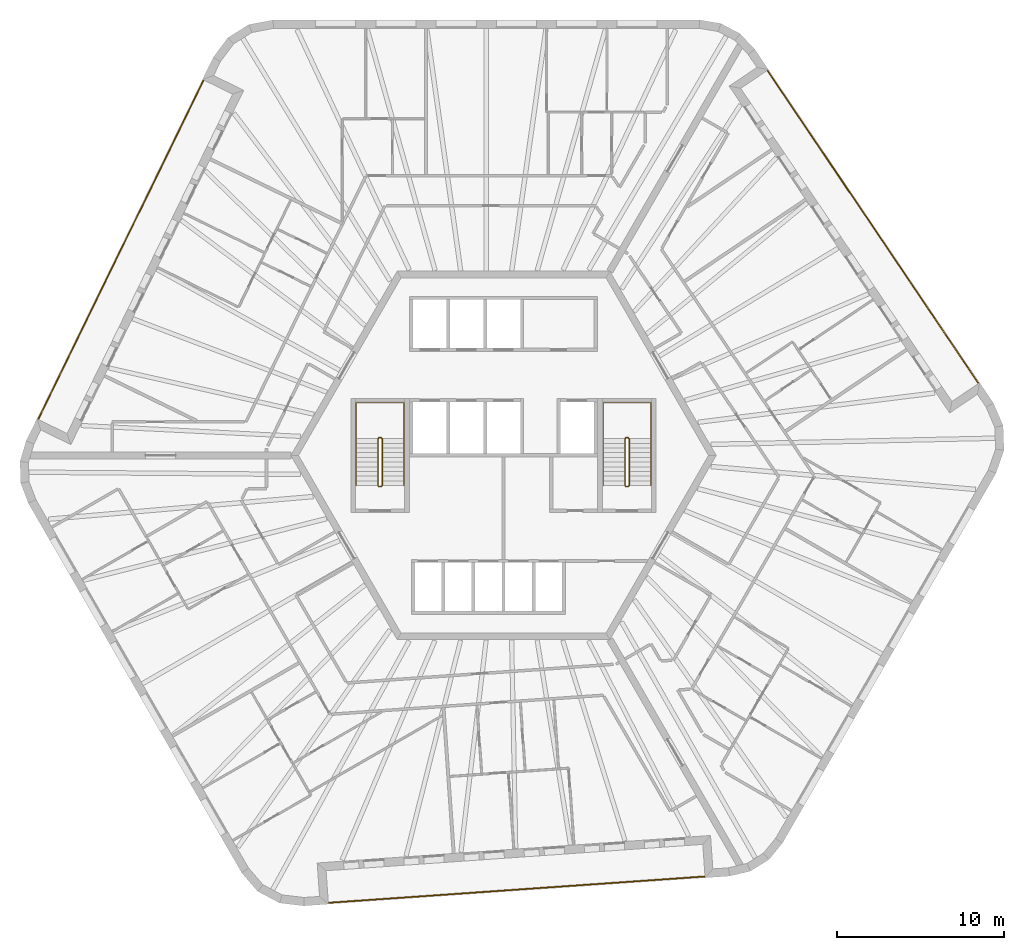
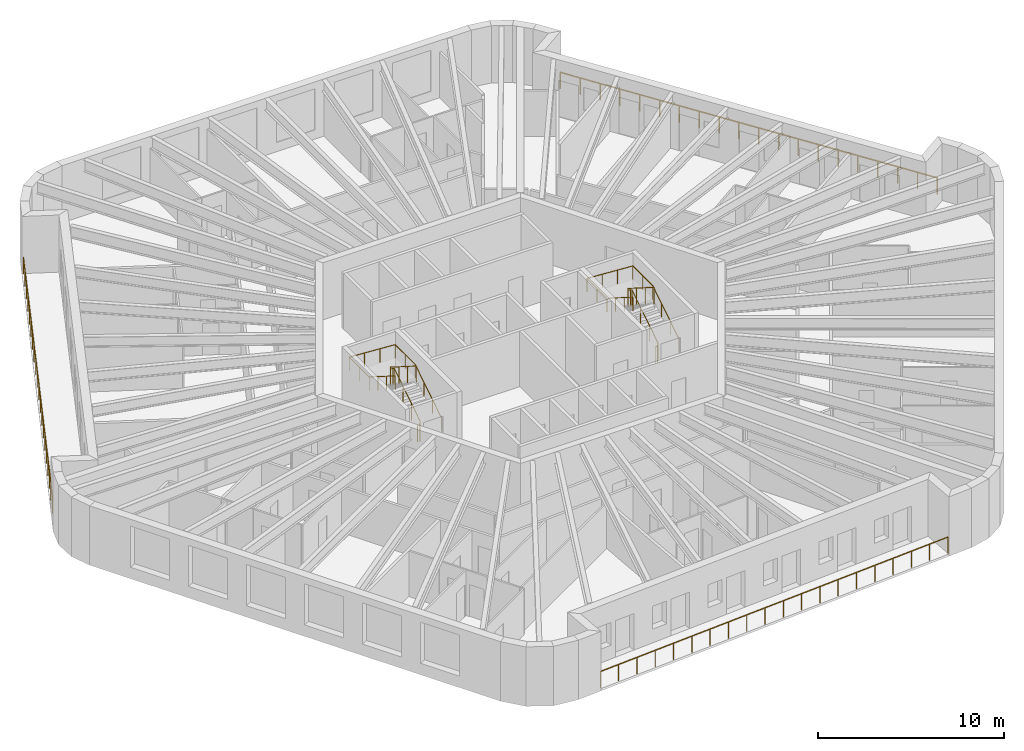
# One storey, part 12 of 12: 7 railings.
"""IFC4 building model written with IfcOpenShell, lengths in metres."""

from ifc_helpers import new_model, si_unit, direction, frame, origin, origin_2d, place, context, subcontext, project, spatial, circle, extrude, material, type_object, element, save


model = new_model("IFC4")

# Units and contexts
model_context = context("Model", 3, precision=1e-05, world=origin(), true_north=direction((0.0, 1.0)))
body_context = subcontext(model_context, "Body", "Model", "MODEL_VIEW")
ifc_project = project(units=[si_unit("LENGTHUNIT", "METRE"), si_unit("AREAUNIT", "SQUARE_METRE"), si_unit("VOLUMEUNIT", "CUBIC_METRE"), si_unit("PLANEANGLEUNIT", "RADIAN"), si_unit("MASSUNIT", "GRAM", prefix="KILO")], contexts=[model_context])

# Site, building, storey
site_placement = place(None, origin())
site = spatial("IfcSite", under=ifc_project, at=site_placement, CompositionType="ELEMENT")
building_placement = place(site_placement, origin())
building = spatial("IfcBuilding", under=site, at=building_placement, Name="Tarnside Tower", CompositionType="ELEMENT")
storey_placement = place(building_placement, frame((0.0, 0.0, 318.60009765625)))
storey = spatial("IfcBuildingStorey", under=building, at=storey_placement, Name="L77", CompositionType="ELEMENT", Elevation=318.60009765625)

# Railings
ifc_material_1 = material(Name="Toughened glass", Category="glass")
railing_type_1 = type_object("IfcRailingType", Name="Glass guard 1100", PredefinedType="GUARDRAIL", material=ifc_material_1)
railing_1_placement = place(storey_placement, frame((-17.906005859375, 22.415283203125, 0.0)))
element("IfcRailing", 1, at=railing_1_placement, inside=storey, type_object=railing_type_1, Name="Loggia guard L77 F2", PredefinedType="GUARDRAIL", context=body_context, shape_type="SweptSolid", body=[
    extrude(circle(Radius=0.030029296875, at=origin_2d()), frame((0.0, 0.0, 1.070068359375), z_axis=(-0.438372639335, -0.898793318335, 0.0), x_axis=(0.898793318335, -0.438372639335, 0.0)), (0.0, 0.0, 1.0), 22.544921875),
    extrude(circle(Radius=0.02490234375, at=origin_2d()), origin(), (0.0, 0.0, 1.0), 1.0400390625),
    extrude(circle(Radius=0.02490234375, at=origin_2d()), frame((-0.520263671875, -1.06640625, 0.0)), (0.0, 0.0, 1.0), 1.0400390625),
    extrude(circle(Radius=0.02490234375, at=origin_2d()), frame((-1.040283203125, -2.133056640625, 0.0)), (0.0, 0.0, 1.0), 1.0400390625),
    extrude(circle(Radius=0.02490234375, at=origin_2d()), frame((-1.560546875, -3.199462890625, 0.0)), (0.0, 0.0, 1.0), 1.0400390625),
    extrude(circle(Radius=0.02490234375, at=origin_2d()), frame((-2.08056640625, -4.265869140625, 0.0)), (0.0, 0.0, 1.0), 1.0400390625),
    extrude(circle(Radius=0.02490234375, at=origin_2d()), frame((-2.600830078125, -5.33251953125, 0.0)), (0.0, 0.0, 1.0), 1.0400390625),
    extrude(circle(Radius=0.02490234375, at=origin_2d()), frame((-3.120849609375, -6.39892578125, 0.0)), (0.0, 0.0, 1.0), 1.0400390625),
    extrude(circle(Radius=0.02490234375, at=origin_2d()), frame((-3.64111328125, -7.46533203125, 0.0)), (0.0, 0.0, 1.0), 1.0400390625),
    extrude(circle(Radius=0.02490234375, at=origin_2d()), frame((-4.161376953125, -8.531982421875, 0.0)), (0.0, 0.0, 1.0), 1.0400390625),
    extrude(circle(Radius=0.02490234375, at=origin_2d()), frame((-4.681396484375, -9.598388671875, 0.0)), (0.0, 0.0, 1.0), 1.0400390625),
    extrude(circle(Radius=0.02490234375, at=origin_2d()), frame((-5.20166015625, -10.664794921875, 0.0)), (0.0, 0.0, 1.0), 1.0400390625),
    extrude(circle(Radius=0.02490234375, at=origin_2d()), frame((-5.7216796875, -11.731201171875, 0.0)), (0.0, 0.0, 1.0), 1.0400390625),
    extrude(circle(Radius=0.02490234375, at=origin_2d()), frame((-6.241943359375, -12.7978515625, 0.0)), (0.0, 0.0, 1.0), 1.0400390625),
    extrude(circle(Radius=0.02490234375, at=origin_2d()), frame((-6.76220703125, -13.8642578125, 0.0)), (0.0, 0.0, 1.0), 1.0400390625),
    extrude(circle(Radius=0.02490234375, at=origin_2d()), frame((-7.2822265625, -14.9306640625, 0.0)), (0.0, 0.0, 1.0), 1.0400390625),
    extrude(circle(Radius=0.02490234375, at=origin_2d()), frame((-7.802490234375, -15.997314453125, 0.0)), (0.0, 0.0, 1.0), 1.0400390625),
    extrude(circle(Radius=0.02490234375, at=origin_2d()), frame((-8.322509765625, -17.063720703125, 0.0)), (0.0, 0.0, 1.0), 1.0400390625),
    extrude(circle(Radius=0.02490234375, at=origin_2d()), frame((-8.8427734375, -18.130126953125, 0.0)), (0.0, 0.0, 1.0), 1.0400390625),
    extrude(circle(Radius=0.02490234375, at=origin_2d()), frame((-9.36279296875, -19.19677734375, 0.0)), (0.0, 0.0, 1.0), 1.0400390625),
    extrude(circle(Radius=0.02490234375, at=origin_2d()), frame((-9.883056640625, -20.26318359375, 0.0)), (0.0, 0.0, 1.0), 1.0400390625),
])
railing_2_placement = place(storey_placement, frame((-10.458984375, -26.714599609375, 0.0)))
element("IfcRailing", 2, at=railing_2_placement, inside=storey, type_object=railing_type_1, Name="Loggia guard L77 F4", PredefinedType="GUARDRAIL", context=body_context, shape_type="SweptSolid", body=[
    extrude(circle(Radius=0.030029296875, at=origin_2d()), frame((0.0, 0.0, 1.070068359375), z_axis=(0.997564440639, 0.069750890837, 0.0), x_axis=(-0.069750890837, 0.997564440639, 0.0)), (0.0, 0.0, 1.0), 22.544677734375),
    extrude(circle(Radius=0.02490234375, at=origin_2d()), origin(), (0.0, 0.0, 1.0), 1.0400390625),
    extrude(circle(Radius=0.02490234375, at=origin_2d()), frame((1.18359375, 0.082763671875, 0.0)), (0.0, 0.0, 1.0), 1.0400390625),
    extrude(circle(Radius=0.02490234375, at=origin_2d()), frame((2.367431640625, 0.16552734375, 0.0)), (0.0, 0.0, 1.0), 1.0400390625),
    extrude(circle(Radius=0.02490234375, at=origin_2d()), frame((3.551025390625, 0.248291015625, 0.0)), (0.0, 0.0, 1.0), 1.0400390625),
    extrude(circle(Radius=0.02490234375, at=origin_2d()), frame((4.734619140625, 0.3310546875, 0.0)), (0.0, 0.0, 1.0), 1.0400390625),
    extrude(circle(Radius=0.02490234375, at=origin_2d()), frame((5.91845703125, 0.413818359375, 0.0)), (0.0, 0.0, 1.0), 1.0400390625),
    extrude(circle(Radius=0.02490234375, at=origin_2d()), frame((7.10205078125, 0.49658203125, 0.0)), (0.0, 0.0, 1.0), 1.0400390625),
    extrude(circle(Radius=0.02490234375, at=origin_2d()), frame((8.28564453125, 0.579345703125, 0.0)), (0.0, 0.0, 1.0), 1.0400390625),
    extrude(circle(Radius=0.02490234375, at=origin_2d()), frame((9.469482421875, 0.662109375, 0.0)), (0.0, 0.0, 1.0), 1.0400390625),
    extrude(circle(Radius=0.02490234375, at=origin_2d()), frame((10.653076171875, 0.744873046875, 0.0)), (0.0, 0.0, 1.0), 1.0400390625),
    extrude(circle(Radius=0.02490234375, at=origin_2d()), frame((11.836669921875, 0.82763671875, 0.0)), (0.0, 0.0, 1.0), 1.0400390625),
    extrude(circle(Radius=0.02490234375, at=origin_2d()), frame((13.020263671875, 0.910400390625, 0.0)), (0.0, 0.0, 1.0), 1.0400390625),
    extrude(circle(Radius=0.02490234375, at=origin_2d()), frame((14.2041015625, 0.9931640625, 0.0)), (0.0, 0.0, 1.0), 1.0400390625),
    extrude(circle(Radius=0.02490234375, at=origin_2d()), frame((15.3876953125, 1.075927734375, 0.0)), (0.0, 0.0, 1.0), 1.0400390625),
    extrude(circle(Radius=0.02490234375, at=origin_2d()), frame((16.5712890625, 1.15869140625, 0.0)), (0.0, 0.0, 1.0), 1.0400390625),
    extrude(circle(Radius=0.02490234375, at=origin_2d()), frame((17.755126953125, 1.241455078125, 0.0)), (0.0, 0.0, 1.0), 1.0400390625),
    extrude(circle(Radius=0.02490234375, at=origin_2d()), frame((18.938720703125, 1.32421875, 0.0)), (0.0, 0.0, 1.0), 1.0400390625),
    extrude(circle(Radius=0.02490234375, at=origin_2d()), frame((20.122314453125, 1.406982421875, 0.0)), (0.0, 0.0, 1.0), 1.0400390625),
    extrude(circle(Radius=0.02490234375, at=origin_2d()), frame((21.30615234375, 1.48974609375, 0.0)), (0.0, 0.0, 1.0), 1.0400390625),
    extrude(circle(Radius=0.02490234375, at=origin_2d()), frame((22.48974609375, 1.572509765625, 0.0)), (0.0, 0.0, 1.0), 1.0400390625),
])
railing_3_placement = place(storey_placement, frame((28.365234375, 4.299560546875, 0.0)))
element("IfcRailing", 3, at=railing_3_placement, inside=storey, type_object=railing_type_1, Name="Loggia guard L77 F6", PredefinedType="GUARDRAIL", context=body_context, shape_type="SweptSolid", body=[
    extrude(circle(Radius=0.030029296875, at=origin_2d()), frame((0.0, 0.0, 1.070068359375), z_axis=(-0.559195329741, 0.82903593601, 0.0), x_axis=(-0.82903593601, -0.559195329741, 0.0)), (0.0, 0.0, 1.0), 22.544677734375),
    extrude(circle(Radius=0.02490234375, at=origin_2d()), origin(), (0.0, 0.0, 1.0), 1.0400390625),
    extrude(circle(Radius=0.02490234375, at=origin_2d()), frame((-0.66357421875, 0.983642578125, 0.0)), (0.0, 0.0, 1.0), 1.0400390625),
    extrude(circle(Radius=0.02490234375, at=origin_2d()), frame((-1.3271484375, 1.967529296875, 0.0)), (0.0, 0.0, 1.0), 1.0400390625),
    extrude(circle(Radius=0.02490234375, at=origin_2d()), frame((-1.990478515625, 2.951171875, 0.0)), (0.0, 0.0, 1.0), 1.0400390625),
    extrude(circle(Radius=0.02490234375, at=origin_2d()), frame((-2.654052734375, 3.934814453125, 0.0)), (0.0, 0.0, 1.0), 1.0400390625),
    extrude(circle(Radius=0.02490234375, at=origin_2d()), frame((-3.317626953125, 4.91845703125, 0.0)), (0.0, 0.0, 1.0), 1.0400390625),
    extrude(circle(Radius=0.02490234375, at=origin_2d()), frame((-3.981201171875, 5.90234375, 0.0)), (0.0, 0.0, 1.0), 1.0400390625),
    extrude(circle(Radius=0.02490234375, at=origin_2d()), frame((-4.644775390625, 6.885986328125, 0.0)), (0.0, 0.0, 1.0), 1.0400390625),
    extrude(circle(Radius=0.02490234375, at=origin_2d()), frame((-5.30810546875, 7.86962890625, 0.0)), (0.0, 0.0, 1.0), 1.0400390625),
    extrude(circle(Radius=0.02490234375, at=origin_2d()), frame((-5.9716796875, 8.853271484375, 0.0)), (0.0, 0.0, 1.0), 1.0400390625),
    extrude(circle(Radius=0.02490234375, at=origin_2d()), frame((-6.63525390625, 9.837158203125, 0.0)), (0.0, 0.0, 1.0), 1.0400390625),
    extrude(circle(Radius=0.02490234375, at=origin_2d()), frame((-7.298828125, 10.82080078125, 0.0)), (0.0, 0.0, 1.0), 1.0400390625),
    extrude(circle(Radius=0.02490234375, at=origin_2d()), frame((-7.962158203125, 11.804443359375, 0.0)), (0.0, 0.0, 1.0), 1.0400390625),
    extrude(circle(Radius=0.02490234375, at=origin_2d()), frame((-8.625732421875, 12.7880859375, 0.0)), (0.0, 0.0, 1.0), 1.0400390625),
    extrude(circle(Radius=0.02490234375, at=origin_2d()), frame((-9.289306640625, 13.77197265625, 0.0)), (0.0, 0.0, 1.0), 1.0400390625),
    extrude(circle(Radius=0.02490234375, at=origin_2d()), frame((-9.952880859375, 14.755615234375, 0.0)), (0.0, 0.0, 1.0), 1.0400390625),
    extrude(circle(Radius=0.02490234375, at=origin_2d()), frame((-10.616455078125, 15.7392578125, 0.0)), (0.0, 0.0, 1.0), 1.0400390625),
    extrude(circle(Radius=0.02490234375, at=origin_2d()), frame((-11.27978515625, 16.722900390625, 0.0)), (0.0, 0.0, 1.0), 1.0400390625),
    extrude(circle(Radius=0.02490234375, at=origin_2d()), frame((-11.943359375, 17.706787109375, 0.0)), (0.0, 0.0, 1.0), 1.0400390625),
    extrude(circle(Radius=0.02490234375, at=origin_2d()), frame((-12.60693359375, 18.6904296875, 0.0)), (0.0, 0.0, 1.0), 1.0400390625),
])
ifc_material_2 = material(Name="Stainless steel", Category="steel")
railing_type_2 = type_object("IfcRailingType", Name="Stair guard 1100", PredefinedType="GUARDRAIL", material=ifc_material_2)
railing_4_placement = place(storey_placement, frame((7.300048828125, -1.85009765625, 0.0)))
element("IfcRailing", 4, at=railing_4_placement, inside=storey, type_object=railing_type_2, Name="L77 ST1 stair guard 1", PredefinedType="GUARDRAIL", context=body_context, shape_type="SweptSolid", body=[
    extrude(circle(Radius=0.02392578125, at=origin_2d()), frame((0.0, 0.0, 1.076171875), z_axis=(1.0, 0.0, 0.0), x_axis=(0.0, 1.0, 0.0)), (0.0, 0.0, 1.0), 0.14990234375),
    extrude(circle(Radius=0.02392578125, at=origin_2d()), frame((0.14990234375, 0.0, 1.076171875), z_axis=(0.262233686654, 0.262233686654, 0.928691007369), x_axis=(-0.707106781187, 0.707106781187, 0.0)), (0.0, 0.0, 1.0), 0.19091796875),
    extrude(circle(Radius=0.02392578125, at=origin_2d()), frame((0.199951171875, 0.050048828125, 1.25341796875), z_axis=(0.0, 0.844908973607, 0.534910110503), x_axis=(-1.0, 0.0, 0.0)), (0.0, 0.0, 1.0), 3.31396484375),
    extrude(circle(Radius=0.02392578125, at=origin_2d()), frame((0.199951171875, 2.85009765625, 3.02587890625), z_axis=(-0.707106781187, 0.707106781187, 0.0), x_axis=(-0.707106781187, -0.707106781187, 0.0)), (0.0, 0.0, 1.0), 0.07080078125),
    extrude(circle(Radius=0.02392578125, at=origin_2d()), frame((0.14990234375, 2.900146484375, 3.02587890625), z_axis=(-1.0, 0.0, 0.0), x_axis=(0.0, -1.0, 0.0)), (0.0, 0.0, 1.0), 0.14990234375),
    extrude(circle(Radius=0.02392578125, at=origin_2d()), frame((0.0, 2.900146484375, 3.02587890625), z_axis=(-0.262233686654, -0.262233686654, 0.928691007369), x_axis=(0.707106781187, -0.707106781187, 0.0)), (0.0, 0.0, 1.0), 0.19091796875),
    extrude(circle(Radius=0.02392578125, at=origin_2d()), frame((-0.050048828125, 2.85009765625, 3.203125), z_axis=(0.0, -0.844908973607, 0.534910110503), x_axis=(1.0, 0.0, 0.0)), (0.0, 0.0, 1.0), 3.31396484375),
    extrude(circle(Radius=0.02099609375, at=origin_2d()), origin(), (0.0, 0.0, 1.0), 1.052001953125),
    extrude(circle(Radius=0.02099609375, at=origin_2d()), frame((0.14990234375, 0.0, 0.0)), (0.0, 0.0, 1.0), 1.052001953125),
    extrude(circle(Radius=0.02099609375, at=origin_2d()), frame((0.199951171875, 0.050048828125, 0.17724609375)), (0.0, 0.0, 1.0), 1.052001953125),
    extrude(circle(Radius=0.02099609375, at=origin_2d()), frame((0.199951171875, 0.9833984375, 0.76806640625)), (0.0, 0.0, 1.0), 1.052001953125),
    extrude(circle(Radius=0.02099609375, at=origin_2d()), frame((0.199951171875, 1.916748046875, 1.359130859375)), (0.0, 0.0, 1.0), 1.052001953125),
    extrude(circle(Radius=0.02099609375, at=origin_2d()), frame((0.199951171875, 2.85009765625, 1.949951171875)), (0.0, 0.0, 1.0), 1.052001953125),
    extrude(circle(Radius=0.02099609375, at=origin_2d()), frame((0.14990234375, 2.900146484375, 1.949951171875)), (0.0, 0.0, 1.0), 1.052001953125),
    extrude(circle(Radius=0.02099609375, at=origin_2d()), frame((0.0, 2.900146484375, 1.949951171875)), (0.0, 0.0, 1.0), 1.052001953125),
    extrude(circle(Radius=0.02099609375, at=origin_2d()), frame((-0.050048828125, 2.85009765625, 2.127197265625)), (0.0, 0.0, 1.0), 1.052001953125),
    extrude(circle(Radius=0.02099609375, at=origin_2d()), frame((-0.050048828125, 1.916748046875, 2.718017578125)), (0.0, 0.0, 1.0), 1.052001953125),
    extrude(circle(Radius=0.02099609375, at=origin_2d()), frame((-0.050048828125, 0.9833984375, 3.30908203125)), (0.0, 0.0, 1.0), 1.052001953125),
    extrude(circle(Radius=0.02099609375, at=origin_2d()), frame((-0.050048828125, 0.050048828125, 3.89990234375)), (0.0, 0.0, 1.0), 1.052001953125),
])
railing_5_placement = place(storey_placement, frame((-7.449951171875, -1.85009765625, 0.0)))
element("IfcRailing", 5, at=railing_5_placement, inside=storey, type_object=railing_type_2, Name="L77 ST2 stair guard 1", PredefinedType="GUARDRAIL", context=body_context, shape_type="SweptSolid", body=[
    extrude(circle(Radius=0.02392578125, at=origin_2d()), frame((0.0, 0.0, 1.076171875), z_axis=(1.0, 0.0, 0.0), x_axis=(0.0, 1.0, 0.0)), (0.0, 0.0, 1.0), 0.14990234375),
    extrude(circle(Radius=0.02392578125, at=origin_2d()), frame((0.14990234375, 0.0, 1.076171875), z_axis=(0.262233686654, 0.262233686654, 0.928691007369), x_axis=(-0.707106781187, 0.707106781187, 0.0)), (0.0, 0.0, 1.0), 0.19091796875),
    extrude(circle(Radius=0.02392578125, at=origin_2d()), frame((0.199951171875, 0.050048828125, 1.25341796875), z_axis=(0.0, 0.844908973607, 0.534910110503), x_axis=(-1.0, 0.0, 0.0)), (0.0, 0.0, 1.0), 3.31396484375),
    extrude(circle(Radius=0.02392578125, at=origin_2d()), frame((0.199951171875, 2.85009765625, 3.02587890625), z_axis=(-0.707106781187, 0.707106781187, 0.0), x_axis=(-0.707106781187, -0.707106781187, 0.0)), (0.0, 0.0, 1.0), 0.07080078125),
    extrude(circle(Radius=0.02392578125, at=origin_2d()), frame((0.14990234375, 2.900146484375, 3.02587890625), z_axis=(-1.0, 0.0, 0.0), x_axis=(0.0, -1.0, 0.0)), (0.0, 0.0, 1.0), 0.14990234375),
    extrude(circle(Radius=0.02392578125, at=origin_2d()), frame((0.0, 2.900146484375, 3.02587890625), z_axis=(-0.262233686654, -0.262233686654, 0.928691007369), x_axis=(0.707106781187, -0.707106781187, 0.0)), (0.0, 0.0, 1.0), 0.19091796875),
    extrude(circle(Radius=0.02392578125, at=origin_2d()), frame((-0.050048828125, 2.85009765625, 3.203125), z_axis=(0.0, -0.844908973607, 0.534910110503), x_axis=(1.0, 0.0, 0.0)), (0.0, 0.0, 1.0), 3.31396484375),
    extrude(circle(Radius=0.02099609375, at=origin_2d()), origin(), (0.0, 0.0, 1.0), 1.052001953125),
    extrude(circle(Radius=0.02099609375, at=origin_2d()), frame((0.14990234375, 0.0, 0.0)), (0.0, 0.0, 1.0), 1.052001953125),
    extrude(circle(Radius=0.02099609375, at=origin_2d()), frame((0.199951171875, 0.050048828125, 0.17724609375)), (0.0, 0.0, 1.0), 1.052001953125),
    extrude(circle(Radius=0.02099609375, at=origin_2d()), frame((0.199951171875, 0.9833984375, 0.76806640625)), (0.0, 0.0, 1.0), 1.052001953125),
    extrude(circle(Radius=0.02099609375, at=origin_2d()), frame((0.199951171875, 1.916748046875, 1.359130859375)), (0.0, 0.0, 1.0), 1.052001953125),
    extrude(circle(Radius=0.02099609375, at=origin_2d()), frame((0.199951171875, 2.85009765625, 1.949951171875)), (0.0, 0.0, 1.0), 1.052001953125),
    extrude(circle(Radius=0.02099609375, at=origin_2d()), frame((0.14990234375, 2.900146484375, 1.949951171875)), (0.0, 0.0, 1.0), 1.052001953125),
    extrude(circle(Radius=0.02099609375, at=origin_2d()), frame((0.0, 2.900146484375, 1.949951171875)), (0.0, 0.0, 1.0), 1.052001953125),
    extrude(circle(Radius=0.02099609375, at=origin_2d()), frame((-0.050048828125, 2.85009765625, 2.127197265625)), (0.0, 0.0, 1.0), 1.052001953125),
    extrude(circle(Radius=0.02099609375, at=origin_2d()), frame((-0.050048828125, 1.916748046875, 2.718017578125)), (0.0, 0.0, 1.0), 1.052001953125),
    extrude(circle(Radius=0.02099609375, at=origin_2d()), frame((-0.050048828125, 0.9833984375, 3.30908203125)), (0.0, 0.0, 1.0), 1.052001953125),
    extrude(circle(Radius=0.02099609375, at=origin_2d()), frame((-0.050048828125, 0.050048828125, 3.89990234375)), (0.0, 0.0, 1.0), 1.052001953125),
])
railing_type_3 = type_object("IfcRailingType", Name="Stair handrail 900", PredefinedType="HANDRAIL", material=ifc_material_2)
railing_6_placement = place(storey_placement, frame((8.800048828125, -1.800048828125, 0.17724609375)))
element("IfcRailing", 6, at=railing_6_placement, inside=storey, type_object=railing_type_3, Name="L77 ST1 stair handrail 1", PredefinedType="HANDRAIL", context=body_context, shape_type="SweptSolid", body=[
    extrude(circle(Radius=0.02392578125, at=origin_2d()), frame((0.0, 0.0, 0.8857421875), z_axis=(0.0, 0.844908973607, 0.534910110503), x_axis=(-1.0, 0.0, 0.0)), (0.0, 0.0, 1.0), 3.31396484375),
    extrude(circle(Radius=0.02392578125, at=origin_2d()), frame((0.0, 2.800048828125, 2.65869140625), z_axis=(0.0, 1.0, 0.0), x_axis=(-1.0, 0.0, 0.0)), (0.0, 0.0, 1.0), 2.14990234375),
    extrude(circle(Radius=0.02392578125, at=origin_2d()), frame((0.0, 4.949951171875, 2.65869140625), z_axis=(-0.998071825391, 0.0, 0.06206956872), x_axis=(0.0, -1.0, 0.0)), (0.0, 0.0, 1.0), 2.855712890625),
    extrude(circle(Radius=0.02392578125, at=origin_2d()), frame((-2.85009765625, 4.949951171875, 2.8359375), z_axis=(0.0, -1.0, 0.0), x_axis=(1.0, 0.0, 0.0)), (0.0, 0.0, 1.0), 2.14990234375),
    extrude(circle(Radius=0.02392578125, at=origin_2d()), frame((-2.85009765625, 2.800048828125, 2.8359375), z_axis=(0.0, -0.844908973607, 0.534910110503), x_axis=(1.0, 0.0, 0.0)), (0.0, 0.0, 1.0), 3.31396484375),
    extrude(circle(Radius=0.02099609375, at=origin_2d()), origin(), (0.0, 0.0, 1.0), 0.86181640625),
    extrude(circle(Radius=0.02099609375, at=origin_2d()), frame((0.0, 0.933349609375, 0.5908203125)), (0.0, 0.0, 1.0), 0.86181640625),
    extrude(circle(Radius=0.02099609375, at=origin_2d()), frame((0.0, 1.86669921875, 1.181884765625)), (0.0, 0.0, 1.0), 0.86181640625),
    extrude(circle(Radius=0.02099609375, at=origin_2d()), frame((0.0, 2.800048828125, 1.772705078125)), (0.0, 0.0, 1.0), 0.86181640625),
    extrude(circle(Radius=0.02099609375, at=origin_2d()), frame((0.0, 3.875, 1.772705078125)), (0.0, 0.0, 1.0), 0.86181640625),
    extrude(circle(Radius=0.02099609375, at=origin_2d()), frame((0.0, 4.949951171875, 1.772705078125)), (0.0, 0.0, 1.0), 0.86181640625),
    extrude(circle(Radius=0.02099609375, at=origin_2d()), frame((-0.949951171875, 4.949951171875, 1.831787109375)), (0.0, 0.0, 1.0), 0.86181640625),
    extrude(circle(Radius=0.02099609375, at=origin_2d()), frame((-1.900146484375, 4.949951171875, 1.890869140625)), (0.0, 0.0, 1.0), 0.86181640625),
    extrude(circle(Radius=0.02099609375, at=origin_2d()), frame((-2.85009765625, 4.949951171875, 1.949951171875)), (0.0, 0.0, 1.0), 0.86181640625),
    extrude(circle(Radius=0.02099609375, at=origin_2d()), frame((-2.85009765625, 3.875, 1.949951171875)), (0.0, 0.0, 1.0), 0.86181640625),
    extrude(circle(Radius=0.02099609375, at=origin_2d()), frame((-2.85009765625, 2.800048828125, 1.949951171875)), (0.0, 0.0, 1.0), 0.86181640625),
    extrude(circle(Radius=0.02099609375, at=origin_2d()), frame((-2.85009765625, 1.86669921875, 2.540771484375)), (0.0, 0.0, 1.0), 0.86181640625),
    extrude(circle(Radius=0.02099609375, at=origin_2d()), frame((-2.85009765625, 0.933349609375, 3.1318359375)), (0.0, 0.0, 1.0), 0.86181640625),
    extrude(circle(Radius=0.02099609375, at=origin_2d()), frame((-2.85009765625, 0.0, 3.72265625)), (0.0, 0.0, 1.0), 0.86181640625),
])
railing_7_placement = place(storey_placement, frame((-5.949951171875, -1.800048828125, 0.17724609375)))
element("IfcRailing", 7, at=railing_7_placement, inside=storey, type_object=railing_type_3, Name="L77 ST2 stair handrail 1", PredefinedType="HANDRAIL", context=body_context, shape_type="SweptSolid", body=[
    extrude(circle(Radius=0.02392578125, at=origin_2d()), frame((0.0, 0.0, 0.8857421875), z_axis=(0.0, 0.844908973607, 0.534910110503), x_axis=(-1.0, 0.0, 0.0)), (0.0, 0.0, 1.0), 3.31396484375),
    extrude(circle(Radius=0.02392578125, at=origin_2d()), frame((0.0, 2.800048828125, 2.65869140625), z_axis=(0.0, 1.0, 0.0), x_axis=(-1.0, 0.0, 0.0)), (0.0, 0.0, 1.0), 2.14990234375),
    extrude(circle(Radius=0.02392578125, at=origin_2d()), frame((0.0, 4.949951171875, 2.65869140625), z_axis=(-0.998071825391, 0.0, 0.06206956872), x_axis=(0.0, -1.0, 0.0)), (0.0, 0.0, 1.0), 2.855712890625),
    extrude(circle(Radius=0.02392578125, at=origin_2d()), frame((-2.85009765625, 4.949951171875, 2.8359375), z_axis=(0.0, -1.0, 0.0), x_axis=(1.0, 0.0, 0.0)), (0.0, 0.0, 1.0), 2.14990234375),
    extrude(circle(Radius=0.02392578125, at=origin_2d()), frame((-2.85009765625, 2.800048828125, 2.8359375), z_axis=(0.0, -0.844908973607, 0.534910110503), x_axis=(1.0, 0.0, 0.0)), (0.0, 0.0, 1.0), 3.31396484375),
    extrude(circle(Radius=0.02099609375, at=origin_2d()), origin(), (0.0, 0.0, 1.0), 0.86181640625),
    extrude(circle(Radius=0.02099609375, at=origin_2d()), frame((0.0, 0.933349609375, 0.5908203125)), (0.0, 0.0, 1.0), 0.86181640625),
    extrude(circle(Radius=0.02099609375, at=origin_2d()), frame((0.0, 1.86669921875, 1.181884765625)), (0.0, 0.0, 1.0), 0.86181640625),
    extrude(circle(Radius=0.02099609375, at=origin_2d()), frame((0.0, 2.800048828125, 1.772705078125)), (0.0, 0.0, 1.0), 0.86181640625),
    extrude(circle(Radius=0.02099609375, at=origin_2d()), frame((0.0, 3.875, 1.772705078125)), (0.0, 0.0, 1.0), 0.86181640625),
    extrude(circle(Radius=0.02099609375, at=origin_2d()), frame((0.0, 4.949951171875, 1.772705078125)), (0.0, 0.0, 1.0), 0.86181640625),
    extrude(circle(Radius=0.02099609375, at=origin_2d()), frame((-0.949951171875, 4.949951171875, 1.831787109375)), (0.0, 0.0, 1.0), 0.86181640625),
    extrude(circle(Radius=0.02099609375, at=origin_2d()), frame((-1.900146484375, 4.949951171875, 1.890869140625)), (0.0, 0.0, 1.0), 0.86181640625),
    extrude(circle(Radius=0.02099609375, at=origin_2d()), frame((-2.85009765625, 4.949951171875, 1.949951171875)), (0.0, 0.0, 1.0), 0.86181640625),
    extrude(circle(Radius=0.02099609375, at=origin_2d()), frame((-2.85009765625, 3.875, 1.949951171875)), (0.0, 0.0, 1.0), 0.86181640625),
    extrude(circle(Radius=0.02099609375, at=origin_2d()), frame((-2.85009765625, 2.800048828125, 1.949951171875)), (0.0, 0.0, 1.0), 0.86181640625),
    extrude(circle(Radius=0.02099609375, at=origin_2d()), frame((-2.85009765625, 1.86669921875, 2.540771484375)), (0.0, 0.0, 1.0), 0.86181640625),
    extrude(circle(Radius=0.02099609375, at=origin_2d()), frame((-2.85009765625, 0.933349609375, 3.1318359375)), (0.0, 0.0, 1.0), 0.86181640625),
    extrude(circle(Radius=0.02099609375, at=origin_2d()), frame((-2.85009765625, 0.0, 3.72265625)), (0.0, 0.0, 1.0), 0.86181640625),
])

save(model, "model.ifc")
